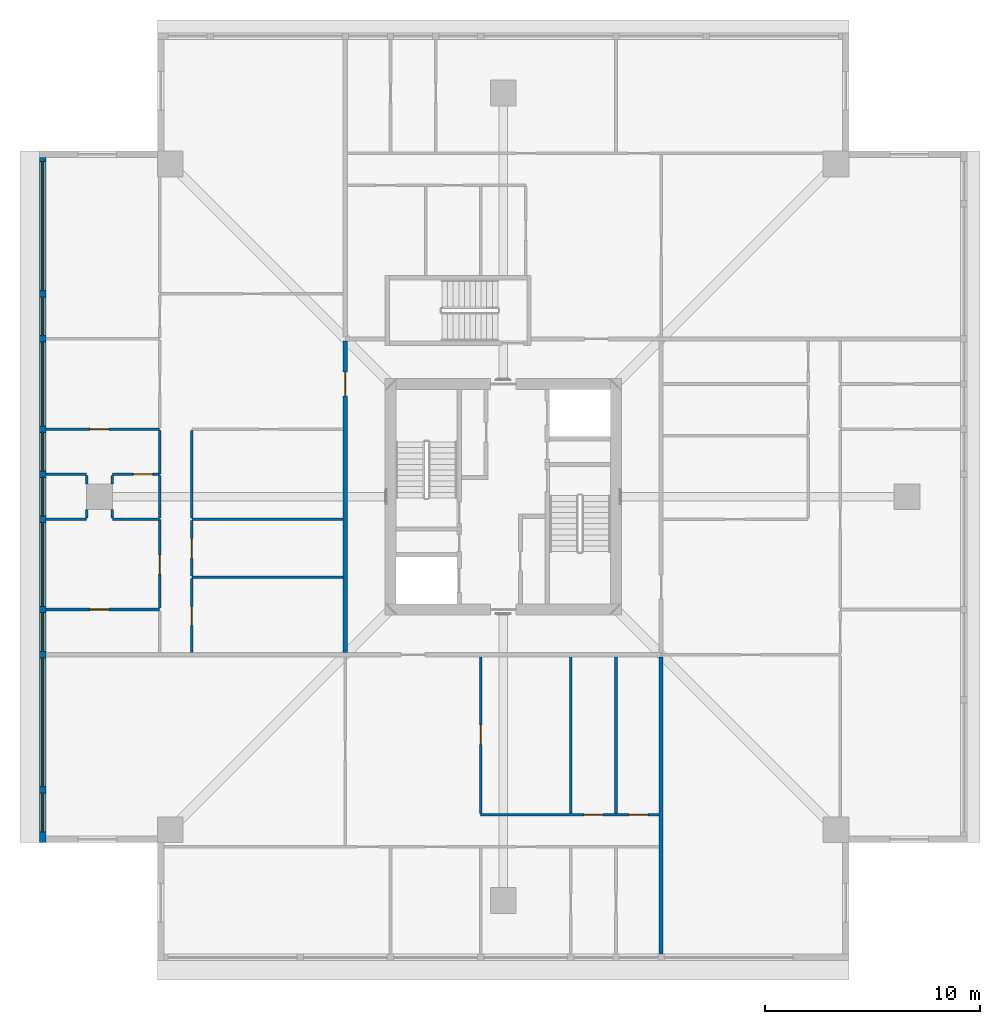
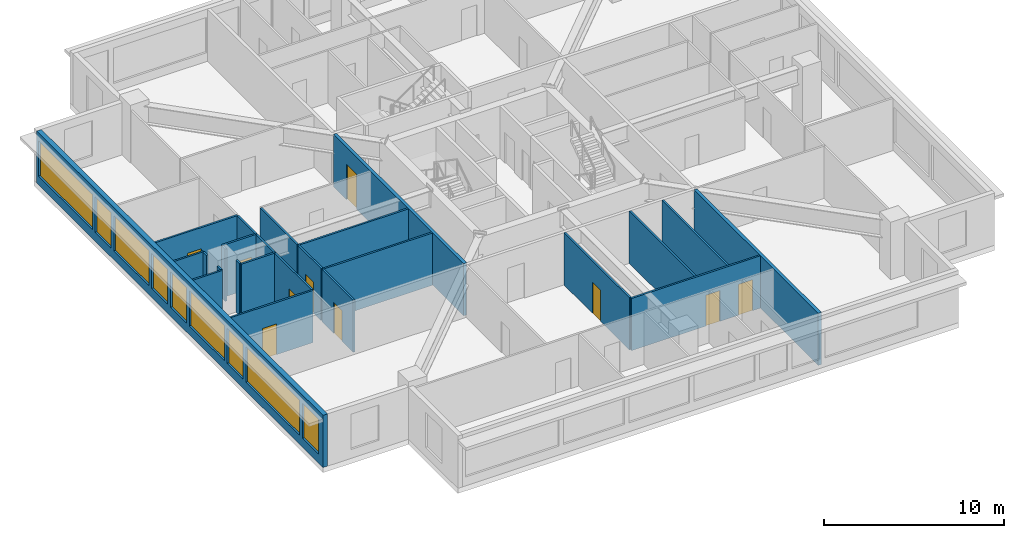
# One storey, part 5 of 12: 25 walls, 10 doors, 9 windows, 19 openings.
"""IFC4 building model written with IfcOpenShell, lengths in metres."""

from ifc_helpers import new_model, si_unit, direction, frame, frame_2d, origin, place, context, subcontext, project, spatial, rectangle, extrude, material, layer, layer_set, type_object, element, fill, save


model = new_model("IFC4")

# Units and contexts
model_context = context("Model", 3, precision=1e-05, world=origin(), true_north=direction((0.0, 1.0)))
body_context = subcontext(model_context, "Body", "Model", "MODEL_VIEW")
ifc_project = project(units=[si_unit("LENGTHUNIT", "METRE"), si_unit("AREAUNIT", "SQUARE_METRE"), si_unit("VOLUMEUNIT", "CUBIC_METRE"), si_unit("PLANEANGLEUNIT", "RADIAN"), si_unit("MASSUNIT", "GRAM", prefix="KILO")], contexts=[model_context])

# Site, building, storey
site_placement = place(None, origin())
site = spatial("IfcSite", under=ifc_project, at=site_placement, CompositionType="ELEMENT")
building_placement = place(site_placement, origin())
building = spatial("IfcBuilding", under=site, at=building_placement, Name="Khepri Terraces", CompositionType="ELEMENT")
storey_placement = place(building_placement, frame((0.0, 0.0, 296.699951171875)))
storey = spatial("IfcBuildingStorey", under=building, at=storey_placement, Name="L71", CompositionType="ELEMENT", Elevation=296.699951171875)

# Wall
ifc_material_1 = material(Name="Fire-rated gypsum plasterboard partition, mineral wool")
ifc_layer_1 = layer(ifc_material_1, 0.199951171875, Name="Fire-rated gypsum plasterboard partition, mineral wool")
ifc_layer_set_1 = layer_set([ifc_layer_1], Name="Fire-rated gypsum plasterboard partition, mineral wool")
wall_type_1 = type_object("IfcWallType", Name="WL-CORR-200", PredefinedType="PARTITIONING", material=ifc_layer_set_1)
wall_1_placement = place(storey_placement, frame((7.35009765625, -21.300048828125, 0.0), z_axis=(0.0, 0.0, 1.0), x_axis=(0.0, 1.0, 0.0)))
element("IfcWall", 1, at=wall_1_placement, inside=storey, type_object=wall_type_1, Name="Partition P-005 L71", PredefinedType="PARTITIONING", context=body_context, shape_type="SweptSolid", body=[
    extrude(rectangle(XDim=13.85009765625, YDim=0.199951171875, at=frame_2d((6.925048828125, 0.0))), origin(), (0.0, 0.0, 1.0), 3.550048828125),
])

# Wall, opening, door
wall_2_placement = place(storey_placement, frame((-7.35009765625, -7.25, 0.0), z_axis=(0.0, 0.0, 1.0), x_axis=(0.0, 1.0, 0.0)))
wall_2 = element("IfcWall", 2, at=wall_2_placement, inside=storey, type_object=wall_type_1, Name="Partition P-018 L71", PredefinedType="PARTITIONING", context=body_context, shape_type="SweptSolid", body=[
    extrude(rectangle(XDim=14.5, YDim=0.199951171875, at=frame_2d((7.25, 0.0))), origin(), (0.0, 0.0, 1.0), 3.550048828125),
])
opening_1_placement = place(wall_2_placement, frame((11.949951171875, 0.0, 0.0)))
opening_1 = element("IfcOpeningElement", 3, at=opening_1_placement, cuts=wall_2, Name="Opening D1", PredefinedType="OPENING", context=body_context, shape_type="SweptSolid", body=[
    extrude(rectangle(XDim=1.10009765625, YDim=2.39990234375, at=frame_2d((0.550048828125, 1.199951171875))), frame((0.0, 0.10986328125, 0.0), z_axis=(0.0, -1.0, 0.0), x_axis=(1.0, 0.0, 0.0)), (0.0, 0.0, 1.0), 0.219970703125),
])
ifc_material_2 = material(Name="Solid-core timber door leaf, flat entrance door", Category="wood")
door_type_1 = type_object("IfcDoorType", Name="DR-ENT-1100", OperationType="NOTDEFINED", PredefinedType="DOOR", material=ifc_material_2)
door_1_placement = place(opening_1_placement, origin())
door_1 = element("IfcDoor", 4, at=door_1_placement, inside=storey, type_object=door_type_1, Name="Flat D1 entrance door", OperationType="SINGLE_SWING_RIGHT", OverallHeight=2.39990234375, OverallWidth=1.10009765625, PredefinedType="DOOR", context=body_context, shape_type="SweptSolid", body=[
    extrude(rectangle(XDim=1.10009765625, YDim=2.39990234375, at=frame_2d((0.550048828125, 1.199951171875))), frame((0.0, 0.02490234375, 0.0), z_axis=(0.0, -1.0, 0.0), x_axis=(1.0, 0.0, 0.0)), (0.0, 0.0, 1.0), 0.050048828125),
])
fill(opening_1, door_1)

# Wall, openings, windows
ifc_material_3 = material(Name="Precast concrete C50/60 warm stone", Category="masonry")
ifc_layer_2 = layer(ifc_material_3, 0.300048828125, Name="Precast concrete C50/60 warm stone", Category="masonry")
ifc_layer_set_2 = layer_set([ifc_layer_2], Name="Precast concrete C50/60 warm stone")
wall_type_2 = type_object("IfcWallType", Name="WL-EXT-PRECAST-300", PredefinedType="STANDARD", material=ifc_layer_set_2)
wall_3_placement = place(storey_placement, frame((-21.449951171875, 15.800048828125, 0.0), z_axis=(0.0, 0.0, 1.0), x_axis=(0.0, -1.0, 0.0)))
wall_3 = element("IfcWall", 5, at=wall_3_placement, inside=storey, type_object=wall_type_2, Name="External wall L71 W", PredefinedType="STANDARD", context=body_context, shape_type="SweptSolid", body=[
    extrude(rectangle(XDim=31.900146484375, YDim=0.300048828125, at=frame_2d((15.9501953125, 0.0))), origin(), (0.0, 0.0, 1.0), 3.550048828125),
])
opening_2_placement = place(wall_3_placement, frame((0.199951171875, 0.0, 0.60009765625)))
opening_2 = element("IfcOpeningElement", 6, at=opening_2_placement, cuts=wall_3, Name="Opening WC3", PredefinedType="OPENING", context=body_context, shape_type="SweptSolid", body=[
    extrude(rectangle(XDim=6.0, YDim=2.39990234375, at=frame_2d((3.0, 1.199951171875))), frame((0.0, 0.16015625, 0.0), z_axis=(0.0, -1.0, 0.0), x_axis=(1.0, 0.0, 0.0)), (0.0, 0.0, 1.0), 0.320068359375),
])
opening_3_placement = place(wall_3_placement, frame((6.5, 0.0, 0.60009765625)))
opening_3 = element("IfcOpeningElement", 7, at=opening_3_placement, cuts=wall_3, Name="Opening WC1", PredefinedType="OPENING", context=body_context, shape_type="SweptSolid", body=[
    extrude(rectangle(XDim=1.800048828125, YDim=2.39990234375, at=frame_2d((0.89990234375, 1.199951171875))), frame((0.0, 0.16015625, 0.0), z_axis=(0.0, -1.0, 0.0), x_axis=(1.0, 0.0, 0.0)), (0.0, 0.0, 1.0), 0.320068359375),
])
opening_4_placement = place(wall_3_placement, frame((8.60009765625, 0.0, 0.60009765625)))
opening_4 = element("IfcOpeningElement", 8, at=opening_4_placement, cuts=wall_3, Name="Opening WC2", PredefinedType="OPENING", context=body_context, shape_type="SweptSolid", body=[
    extrude(rectangle(XDim=3.89990234375, YDim=2.39990234375, at=frame_2d((1.949951171875, 1.199951171875))), frame((0.0, 0.16015625, 0.0), z_axis=(0.0, -1.0, 0.0), x_axis=(1.0, 0.0, 0.0)), (0.0, 0.0, 1.0), 0.320068359375),
])
opening_5_placement = place(wall_3_placement, frame((12.800048828125, 0.0, 0.60009765625)))
opening_5 = element("IfcOpeningElement", 9, at=opening_5_placement, cuts=wall_3, Name="Opening WC1", PredefinedType="OPENING", context=body_context, shape_type="SweptSolid", body=[
    extrude(rectangle(XDim=1.800048828125, YDim=2.39990234375, at=frame_2d((0.89990234375, 1.199951171875))), frame((0.0, 0.16015625, 0.0), z_axis=(0.0, -1.0, 0.0), x_axis=(1.0, 0.0, 0.0)), (0.0, 0.0, 1.0), 0.320068359375),
])
opening_6_placement = place(wall_3_placement, frame((14.89990234375, 0.0, 0.60009765625)))
opening_6 = element("IfcOpeningElement", 10, at=opening_6_placement, cuts=wall_3, Name="Opening WC1", PredefinedType="OPENING", context=body_context, shape_type="SweptSolid", body=[
    extrude(rectangle(XDim=1.800048828125, YDim=2.39990234375, at=frame_2d((0.89990234375, 1.199951171875))), frame((0.0, 0.16015625, 0.0), z_axis=(0.0, -1.0, 0.0), x_axis=(1.0, 0.0, 0.0)), (0.0, 0.0, 1.0), 0.320068359375),
])
opening_7_placement = place(wall_3_placement, frame((17.0, 0.0, 0.60009765625)))
opening_7 = element("IfcOpeningElement", 11, at=opening_7_placement, cuts=wall_3, Name="Opening WC2", PredefinedType="OPENING", context=body_context, shape_type="SweptSolid", body=[
    extrude(rectangle(XDim=3.89990234375, YDim=2.39990234375, at=frame_2d((1.949951171875, 1.199951171875))), frame((0.0, 0.16015625, 0.0), z_axis=(0.0, -1.0, 0.0), x_axis=(1.0, 0.0, 0.0)), (0.0, 0.0, 1.0), 0.320068359375),
])
opening_8_placement = place(wall_3_placement, frame((21.199951171875, 0.0, 0.60009765625)))
opening_8 = element("IfcOpeningElement", 12, at=opening_8_placement, cuts=wall_3, Name="Opening WC1", PredefinedType="OPENING", context=body_context, shape_type="SweptSolid", body=[
    extrude(rectangle(XDim=1.800048828125, YDim=2.39990234375, at=frame_2d((0.89990234375, 1.199951171875))), frame((0.0, 0.16015625, 0.0), z_axis=(0.0, -1.0, 0.0), x_axis=(1.0, 0.0, 0.0)), (0.0, 0.0, 1.0), 0.320068359375),
])
opening_9_placement = place(wall_3_placement, frame((23.300048828125, 0.0, 0.60009765625)))
opening_9 = element("IfcOpeningElement", 13, at=opening_9_placement, cuts=wall_3, Name="Opening WC3", PredefinedType="OPENING", context=body_context, shape_type="SweptSolid", body=[
    extrude(rectangle(XDim=6.0, YDim=2.39990234375, at=frame_2d((3.0, 1.199951171875))), frame((0.0, 0.16015625, 0.0), z_axis=(0.0, -1.0, 0.0), x_axis=(1.0, 0.0, 0.0)), (0.0, 0.0, 1.0), 0.320068359375),
])
opening_10_placement = place(wall_3_placement, frame((29.60009765625, 0.0, 0.60009765625)))
opening_10 = element("IfcOpeningElement", 14, at=opening_10_placement, cuts=wall_3, Name="Opening WC1", PredefinedType="OPENING", context=body_context, shape_type="SweptSolid", body=[
    extrude(rectangle(XDim=1.800048828125, YDim=2.39990234375, at=frame_2d((0.89990234375, 1.199951171875))), frame((0.0, 0.16015625, 0.0), z_axis=(0.0, -1.0, 0.0), x_axis=(1.0, 0.0, 0.0)), (0.0, 0.0, 1.0), 0.320068359375),
])
ifc_material_4 = material(Name="Clear glass", Category="glass")
window_type_1 = type_object("IfcWindowType", Name="WIN-CRN-1800x2400", PartitioningType="SINGLE_PANEL", PredefinedType="WINDOW", material=ifc_material_4)
window_1_placement = place(opening_3_placement, origin())
window_1 = element("IfcWindow", 15, at=window_1_placement, inside=storey, type_object=window_type_1, Name="Window L71 W", OverallHeight=2.39990234375, OverallWidth=1.800048828125, PartitioningType="SINGLE_PANEL", PredefinedType="WINDOW", context=body_context, shape_type="SweptSolid", body=[
    extrude(rectangle(XDim=1.800048828125, YDim=2.39990234375, at=frame_2d((0.89990234375, 1.199951171875))), frame((0.0, 0.030029296875, 0.0), z_axis=(0.0, -1.0, 0.0), x_axis=(1.0, 0.0, 0.0)), (0.0, 0.0, 1.0), 0.06005859375),
])
fill(opening_3, window_1)
window_2_placement = place(opening_5_placement, origin())
window_2 = element("IfcWindow", 16, at=window_2_placement, inside=storey, type_object=window_type_1, Name="Window L71 W", OverallHeight=2.39990234375, OverallWidth=1.800048828125, PartitioningType="SINGLE_PANEL", PredefinedType="WINDOW", context=body_context, shape_type="SweptSolid", body=[
    extrude(rectangle(XDim=1.800048828125, YDim=2.39990234375, at=frame_2d((0.89990234375, 1.199951171875))), frame((0.0, 0.030029296875, 0.0), z_axis=(0.0, -1.0, 0.0), x_axis=(1.0, 0.0, 0.0)), (0.0, 0.0, 1.0), 0.06005859375),
])
fill(opening_5, window_2)
window_3_placement = place(opening_6_placement, origin())
window_3 = element("IfcWindow", 17, at=window_3_placement, inside=storey, type_object=window_type_1, Name="Window L71 W", OverallHeight=2.39990234375, OverallWidth=1.800048828125, PartitioningType="SINGLE_PANEL", PredefinedType="WINDOW", context=body_context, shape_type="SweptSolid", body=[
    extrude(rectangle(XDim=1.800048828125, YDim=2.39990234375, at=frame_2d((0.89990234375, 1.199951171875))), frame((0.0, 0.030029296875, 0.0), z_axis=(0.0, -1.0, 0.0), x_axis=(1.0, 0.0, 0.0)), (0.0, 0.0, 1.0), 0.06005859375),
])
fill(opening_6, window_3)
window_4_placement = place(opening_8_placement, origin())
window_4 = element("IfcWindow", 18, at=window_4_placement, inside=storey, type_object=window_type_1, Name="Window L71 W", OverallHeight=2.39990234375, OverallWidth=1.800048828125, PartitioningType="SINGLE_PANEL", PredefinedType="WINDOW", context=body_context, shape_type="SweptSolid", body=[
    extrude(rectangle(XDim=1.800048828125, YDim=2.39990234375, at=frame_2d((0.89990234375, 1.199951171875))), frame((0.0, 0.030029296875, 0.0), z_axis=(0.0, -1.0, 0.0), x_axis=(1.0, 0.0, 0.0)), (0.0, 0.0, 1.0), 0.06005859375),
])
fill(opening_8, window_4)
window_5_placement = place(opening_10_placement, origin())
window_5 = element("IfcWindow", 19, at=window_5_placement, inside=storey, type_object=window_type_1, Name="Window L71 W", OverallHeight=2.39990234375, OverallWidth=1.800048828125, PartitioningType="SINGLE_PANEL", PredefinedType="WINDOW", context=body_context, shape_type="SweptSolid", body=[
    extrude(rectangle(XDim=1.800048828125, YDim=2.39990234375, at=frame_2d((0.89990234375, 1.199951171875))), frame((0.0, 0.030029296875, 0.0), z_axis=(0.0, -1.0, 0.0), x_axis=(1.0, 0.0, 0.0)), (0.0, 0.0, 1.0), 0.06005859375),
])
fill(opening_10, window_5)
window_type_2 = type_object("IfcWindowType", Name="WIN-CRN-3900x2400", PartitioningType="SINGLE_PANEL", PredefinedType="WINDOW", material=ifc_material_4)
window_6_placement = place(opening_4_placement, origin())
window_6 = element("IfcWindow", 20, at=window_6_placement, inside=storey, type_object=window_type_2, Name="Window L71 W", OverallHeight=2.39990234375, OverallWidth=3.89990234375, PartitioningType="SINGLE_PANEL", PredefinedType="WINDOW", context=body_context, shape_type="SweptSolid", body=[
    extrude(rectangle(XDim=3.89990234375, YDim=2.39990234375, at=frame_2d((1.949951171875, 1.199951171875))), frame((0.0, 0.030029296875, 0.0), z_axis=(0.0, -1.0, 0.0), x_axis=(1.0, 0.0, 0.0)), (0.0, 0.0, 1.0), 0.06005859375),
])
fill(opening_4, window_6)
window_7_placement = place(opening_7_placement, origin())
window_7 = element("IfcWindow", 21, at=window_7_placement, inside=storey, type_object=window_type_2, Name="Window L71 W", OverallHeight=2.39990234375, OverallWidth=3.89990234375, PartitioningType="SINGLE_PANEL", PredefinedType="WINDOW", context=body_context, shape_type="SweptSolid", body=[
    extrude(rectangle(XDim=3.89990234375, YDim=2.39990234375, at=frame_2d((1.949951171875, 1.199951171875))), frame((0.0, 0.030029296875, 0.0), z_axis=(0.0, -1.0, 0.0), x_axis=(1.0, 0.0, 0.0)), (0.0, 0.0, 1.0), 0.06005859375),
])
fill(opening_7, window_7)
window_type_3 = type_object("IfcWindowType", Name="WIN-CRN-6000x2400", PartitioningType="SINGLE_PANEL", PredefinedType="WINDOW", material=ifc_material_4)
window_8_placement = place(opening_2_placement, origin())
window_8 = element("IfcWindow", 22, at=window_8_placement, inside=storey, type_object=window_type_3, Name="Window L71 W", OverallHeight=2.39990234375, OverallWidth=6.0, PartitioningType="SINGLE_PANEL", PredefinedType="WINDOW", context=body_context, shape_type="SweptSolid", body=[
    extrude(rectangle(XDim=6.0, YDim=2.39990234375, at=frame_2d((3.0, 1.199951171875))), frame((0.0, 0.030029296875, 0.0), z_axis=(0.0, -1.0, 0.0), x_axis=(1.0, 0.0, 0.0)), (0.0, 0.0, 1.0), 0.06005859375),
])
fill(opening_2, window_8)
window_9_placement = place(opening_9_placement, origin())
window_9 = element("IfcWindow", 23, at=window_9_placement, inside=storey, type_object=window_type_3, Name="Window L71 W", OverallHeight=2.39990234375, OverallWidth=6.0, PartitioningType="SINGLE_PANEL", PredefinedType="WINDOW", context=body_context, shape_type="SweptSolid", body=[
    extrude(rectangle(XDim=6.0, YDim=2.39990234375, at=frame_2d((3.0, 1.199951171875))), frame((0.0, 0.030029296875, 0.0), z_axis=(0.0, -1.0, 0.0), x_axis=(1.0, 0.0, 0.0)), (0.0, 0.0, 1.0), 0.06005859375),
])
fill(opening_9, window_9)

# Wall, openings, doors
ifc_material_5 = material(Name="Gypsum plasterboard partition")
ifc_layer_3 = layer(ifc_material_5, 0.1201171875, Name="Gypsum plasterboard partition")
ifc_layer_set_3 = layer_set([ifc_layer_3], Name="Gypsum plasterboard partition")
wall_type_3 = type_object("IfcWallType", Name="WL-PART-120", PredefinedType="PARTITIONING", material=ifc_layer_set_3)
wall_4_placement = place(storey_placement, frame((-1.050048828125, -14.800048828125, 0.0), z_axis=(0.0, 0.0, 1.0), x_axis=(1.0, 0.0, 0.0)))
wall_4 = element("IfcWall", 24, at=wall_4_placement, inside=storey, type_object=wall_type_3, Name="Partition P-009 L71", PredefinedType="PARTITIONING", context=body_context, shape_type="SweptSolid", body=[
    extrude(rectangle(XDim=8.300048828125, YDim=0.1201171875, at=frame_2d((4.14990234375, 0.0))), origin(), (0.0, 0.0, 1.0), 3.550048828125),
])
opening_11_placement = place(wall_4_placement, frame((4.800048828125, 0.0, 0.0)))
opening_11 = element("IfcOpeningElement", 25, at=opening_11_placement, cuts=wall_4, Name="Opening D3", PredefinedType="OPENING", context=body_context, shape_type="SweptSolid", body=[
    extrude(rectangle(XDim=0.89990234375, YDim=2.10009765625, at=frame_2d((0.449951171875, 1.050048828125))), frame((0.0, 0.070068359375, 0.0), z_axis=(0.0, -1.0, 0.0), x_axis=(1.0, 0.0, 0.0)), (0.0, 0.0, 1.0), 0.14013671875),
])
opening_12_placement = place(wall_4_placement, frame((6.89990234375, 0.0, 0.0)))
opening_12 = element("IfcOpeningElement", 26, at=opening_12_placement, cuts=wall_4, Name="Opening D4", PredefinedType="OPENING", context=body_context, shape_type="SweptSolid", body=[
    extrude(rectangle(XDim=0.89990234375, YDim=2.10009765625, at=frame_2d((0.449951171875, 1.050048828125))), frame((0.0, 0.070068359375, 0.0), z_axis=(0.0, -1.0, 0.0), x_axis=(1.0, 0.0, 0.0)), (0.0, 0.0, 1.0), 0.14013671875),
])
ifc_material_6 = material(Name="Timber door leaf", Category="wood")
door_type_2 = type_object("IfcDoorType", Name="DR-INT-900", OperationType="NOTDEFINED", PredefinedType="DOOR", material=ifc_material_6)
door_2_placement = place(opening_11_placement, origin())
door_2 = element("IfcDoor", 27, at=door_2_placement, inside=storey, type_object=door_type_2, Name="Door Service Kitchen", OperationType="SINGLE_SWING_RIGHT", OverallHeight=2.10009765625, OverallWidth=0.89990234375, PredefinedType="DOOR", context=body_context, shape_type="SweptSolid", body=[
    extrude(rectangle(XDim=0.89990234375, YDim=2.10009765625, at=frame_2d((0.449951171875, 1.050048828125))), frame((0.0, 0.02490234375, 0.0), z_axis=(0.0, -1.0, 0.0), x_axis=(1.0, 0.0, 0.0)), (0.0, 0.0, 1.0), 0.050048828125),
])
fill(opening_11, door_2)
ifc_material_7 = material(Name="Timber door leaf, moisture resistant", Category="wood")
door_type_3 = type_object("IfcDoorType", Name="DR-WET-900", OperationType="NOTDEFINED", PredefinedType="DOOR", material=ifc_material_7)
door_3_placement = place(opening_12_placement, origin())
door_3 = element("IfcDoor", 28, at=door_3_placement, inside=storey, type_object=door_type_3, Name="Door Guest Bathroom", OperationType="SINGLE_SWING_RIGHT", OverallHeight=2.10009765625, OverallWidth=0.89990234375, PredefinedType="DOOR", context=body_context, shape_type="SweptSolid", body=[
    extrude(rectangle(XDim=0.89990234375, YDim=2.10009765625, at=frame_2d((0.449951171875, 1.050048828125))), frame((0.0, 0.02490234375, 0.0), z_axis=(0.0, -1.0, 0.0), x_axis=(1.0, 0.0, 0.0)), (0.0, 0.0, 1.0), 0.050048828125),
])
fill(opening_12, door_3)

# Wall, opening, door
wall_5_placement = place(storey_placement, frame((-1.050048828125, -14.739990234375, 0.0), z_axis=(0.0, 0.0, 1.0), x_axis=(0.0, 1.0, 0.0)))
wall_5 = element("IfcWall", 29, at=wall_5_placement, inside=storey, type_object=wall_type_3, Name="Partition P-010 L71", PredefinedType="PARTITIONING", context=body_context, shape_type="SweptSolid", body=[
    extrude(rectangle(XDim=7.2900390625, YDim=0.1201171875, at=frame_2d((3.64501953125, 0.0))), origin(), (0.0, 0.0, 1.0), 3.550048828125),
])
opening_13_placement = place(wall_5_placement, frame((3.215087890625, 0.0, 0.0)))
opening_13 = element("IfcOpeningElement", 30, at=opening_13_placement, cuts=wall_5, Name="Opening D3", PredefinedType="OPENING", context=body_context, shape_type="SweptSolid", body=[
    extrude(rectangle(XDim=0.89990234375, YDim=2.10009765625, at=frame_2d((0.449951171875, 1.050048828125))), frame((0.0, 0.070068359375, 0.0), z_axis=(0.0, -1.0, 0.0), x_axis=(1.0, 0.0, 0.0)), (0.0, 0.0, 1.0), 0.14013671875),
])
door_4_placement = place(opening_13_placement, frame((0.89990234375, 0.0, 0.0), z_axis=(0.0, 0.0, 1.0), x_axis=(-1.0, 0.0, 0.0)))
door_4 = element("IfcDoor", 31, at=door_4_placement, inside=storey, type_object=door_type_2, Name="Door Kitchen", OperationType="SINGLE_SWING_LEFT", OverallHeight=2.10009765625, OverallWidth=0.89990234375, PredefinedType="DOOR", context=body_context, shape_type="SweptSolid", body=[
    extrude(rectangle(XDim=0.89990234375, YDim=2.10009765625, at=frame_2d((0.449951171875, 1.050048828125))), frame((0.0, 0.02490234375, 0.0), z_axis=(0.0, -1.0, 0.0), x_axis=(1.0, 0.0, 0.0)), (0.0, 0.0, 1.0), 0.050048828125),
])
fill(opening_13, door_4)

# Walls
for number, where, z_axis, x_axis, name in (
    (32, (3.14990234375, -14.739990234375, 0.0), (0.0, 0.0, 1.0), (0.0, 1.0, 0.0), "Partition P-011 L71"),
    (33, (5.25, -14.739990234375, 0.0), (0.0, 0.0, 1.0), (0.0, 1.0, 0.0), "Partition P-012 L71"),
):
    element("IfcWall", number, at=place(storey_placement, frame(where, z_axis=z_axis, x_axis=x_axis)), inside=storey, type_object=wall_type_3, Name=name, PredefinedType="PARTITIONING", context=body_context, shape_type="SweptSolid", body=[
        extrude(rectangle(XDim=7.2900390625, YDim=0.1201171875, at=frame_2d((3.64501953125, 0.0))), origin(), (0.0, 0.0, 1.0), 3.550048828125),
    ])

# Wall, opening, door
wall_6_placement = place(storey_placement, frame((-14.5, -7.25, 0.0), z_axis=(0.0, 0.0, 1.0), x_axis=(0.0, 1.0, 0.0)))
wall_6 = element("IfcWall", 34, at=wall_6_placement, inside=storey, type_object=wall_type_3, Name="Partition P-017 L71", PredefinedType="PARTITIONING", context=body_context, shape_type="SweptSolid", body=[
    extrude(rectangle(XDim=3.43994140625, YDim=0.1201171875, at=frame_2d((1.719970703125, 0.0))), origin(), (0.0, 0.0, 1.0), 3.550048828125),
])
opening_14_placement = place(wall_6_placement, frame((1.25, 0.0, 0.0)))
opening_14 = element("IfcOpeningElement", 35, at=opening_14_placement, cuts=wall_6, Name="Opening D3", PredefinedType="OPENING", context=body_context, shape_type="SweptSolid", body=[
    extrude(rectangle(XDim=0.89990234375, YDim=2.10009765625, at=frame_2d((0.449951171875, 1.050048828125))), frame((0.0, 0.070068359375, 0.0), z_axis=(0.0, -1.0, 0.0), x_axis=(1.0, 0.0, 0.0)), (0.0, 0.0, 1.0), 0.14013671875),
])
door_5_placement = place(opening_14_placement, frame((0.89990234375, 0.0, 0.0), z_axis=(0.0, 0.0, 1.0), x_axis=(-1.0, 0.0, 0.0)))
door_5 = element("IfcDoor", 36, at=door_5_placement, inside=storey, type_object=door_type_2, Name="Door Staff Bedroom", OperationType="SINGLE_SWING_RIGHT", OverallHeight=2.10009765625, OverallWidth=0.89990234375, PredefinedType="DOOR", context=body_context, shape_type="SweptSolid", body=[
    extrude(rectangle(XDim=0.89990234375, YDim=2.10009765625, at=frame_2d((0.449951171875, 1.050048828125))), frame((0.0, 0.02490234375, 0.0), z_axis=(0.0, -1.0, 0.0), x_axis=(1.0, 0.0, 0.0)), (0.0, 0.0, 1.0), 0.050048828125),
])
fill(opening_14, door_5)

wall_7_placement = place(storey_placement, frame((-21.300048828125, -5.25, 0.0), z_axis=(0.0, 0.0, 1.0), x_axis=(1.0, 0.0, 0.0)))
wall_7 = element("IfcWall", 37, at=wall_7_placement, inside=storey, type_object=wall_type_3, Name="Partition P-020 L71", PredefinedType="PARTITIONING", context=body_context, shape_type="SweptSolid", body=[
    extrude(rectangle(XDim=5.300048828125, YDim=0.1201171875, at=frame_2d((2.64990234375, 0.0))), origin(), (0.0, 0.0, 1.0), 3.550048828125),
])
opening_15_placement = place(wall_7_placement, frame((2.050048828125, 0.0, 0.0)))
opening_15 = element("IfcOpeningElement", 38, at=opening_15_placement, cuts=wall_7, Name="Opening D4", PredefinedType="OPENING", context=body_context, shape_type="SweptSolid", body=[
    extrude(rectangle(XDim=0.89990234375, YDim=2.10009765625, at=frame_2d((0.449951171875, 1.050048828125))), frame((0.0, 0.070068359375, 0.0), z_axis=(0.0, -1.0, 0.0), x_axis=(1.0, 0.0, 0.0)), (0.0, 0.0, 1.0), 0.14013671875),
])
door_6_placement = place(opening_15_placement, frame((0.89990234375, 0.0, 0.0), z_axis=(0.0, 0.0, 1.0), x_axis=(-1.0, 0.0, 0.0)))
door_6 = element("IfcDoor", 39, at=door_6_placement, inside=storey, type_object=door_type_3, Name="Door Bathroom", OperationType="SINGLE_SWING_RIGHT", OverallHeight=2.10009765625, OverallWidth=0.89990234375, PredefinedType="DOOR", context=body_context, shape_type="SweptSolid", body=[
    extrude(rectangle(XDim=0.89990234375, YDim=2.10009765625, at=frame_2d((0.449951171875, 1.050048828125))), frame((0.0, 0.02490234375, 0.0), z_axis=(0.0, -1.0, 0.0), x_axis=(1.0, 0.0, 0.0)), (0.0, 0.0, 1.0), 0.050048828125),
])
fill(opening_15, door_6)

wall_8_placement = place(storey_placement, frame((-16.0, -5.18994140625, 0.0), z_axis=(0.0, 0.0, 1.0), x_axis=(0.0, 1.0, 0.0)))
wall_8 = element("IfcWall", 40, at=wall_8_placement, inside=storey, type_object=wall_type_3, Name="Partition P-022 L71", PredefinedType="PARTITIONING", context=body_context, shape_type="SweptSolid", body=[
    extrude(rectangle(XDim=4.138916015625, YDim=0.1201171875, at=frame_2d((2.0693359375, 0.0))), origin(), (0.0, 0.0, 1.0), 3.550048828125),
])
opening_16_placement = place(wall_8_placement, frame((1.589599609375, 0.0, 0.0)))
opening_16 = element("IfcOpeningElement", 41, at=opening_16_placement, cuts=wall_8, Name="Opening D3", PredefinedType="OPENING", context=body_context, shape_type="SweptSolid", body=[
    extrude(rectangle(XDim=0.89990234375, YDim=2.10009765625, at=frame_2d((0.449951171875, 1.050048828125))), frame((0.0, 0.070068359375, 0.0), z_axis=(0.0, -1.0, 0.0), x_axis=(1.0, 0.0, 0.0)), (0.0, 0.0, 1.0), 0.14013671875),
])
door_7_placement = place(opening_16_placement, origin())
door_7 = element("IfcDoor", 42, at=door_7_placement, inside=storey, type_object=door_type_2, Name="Door Bedroom", OperationType="SINGLE_SWING_LEFT", OverallHeight=2.10009765625, OverallWidth=0.89990234375, PredefinedType="DOOR", context=body_context, shape_type="SweptSolid", body=[
    extrude(rectangle(XDim=0.89990234375, YDim=2.10009765625, at=frame_2d((0.449951171875, 1.050048828125))), frame((0.0, 0.02490234375, 0.0), z_axis=(0.0, -1.0, 0.0), x_axis=(1.0, 0.0, 0.0)), (0.0, 0.0, 1.0), 0.050048828125),
])
fill(opening_16, door_7)

# Wall
wall_9_placement = place(storey_placement, frame((-14.5, -3.75, 0.0), z_axis=(0.0, 0.0, 1.0), x_axis=(1.0, 0.0, 0.0)))
element("IfcWall", 43, at=wall_9_placement, inside=storey, type_object=wall_type_3, Name="Partition P-024 L71", PredefinedType="PARTITIONING", context=body_context, shape_type="SweptSolid", body=[
    extrude(rectangle(XDim=7.050048828125, YDim=0.1201171875, at=frame_2d((3.52490234375, 0.0))), origin(), (0.0, 0.0, 1.0), 3.550048828125),
])

# Wall, opening, door
wall_10_placement = place(storey_placement, frame((-14.5, -3.68994140625, 0.0), z_axis=(0.0, 0.0, 1.0), x_axis=(0.0, 1.0, 0.0)))
wall_10 = element("IfcWall", 44, at=wall_10_placement, inside=storey, type_object=wall_type_3, Name="Partition P-025 L71", PredefinedType="PARTITIONING", context=body_context, shape_type="SweptSolid", body=[
    extrude(rectangle(XDim=2.579833984375, YDim=0.1201171875, at=frame_2d((1.2900390625, 0.0))), origin(), (0.0, 0.0, 1.0), 3.550048828125),
])
opening_17_placement = place(wall_10_placement, frame((0.840087890625, 0.0, 0.0)))
opening_17 = element("IfcOpeningElement", 45, at=opening_17_placement, cuts=wall_10, Name="Opening D4", PredefinedType="OPENING", context=body_context, shape_type="SweptSolid", body=[
    extrude(rectangle(XDim=0.89990234375, YDim=2.10009765625, at=frame_2d((0.449951171875, 1.050048828125))), frame((0.0, 0.070068359375, 0.0), z_axis=(0.0, -1.0, 0.0), x_axis=(1.0, 0.0, 0.0)), (0.0, 0.0, 1.0), 0.14013671875),
])
door_8_placement = place(opening_17_placement, frame((0.89990234375, 0.0, 0.0), z_axis=(0.0, 0.0, 1.0), x_axis=(-1.0, 0.0, 0.0)))
door_8 = element("IfcDoor", 46, at=door_8_placement, inside=storey, type_object=door_type_3, Name="Door Guest Bathroom", OperationType="SINGLE_SWING_LEFT", OverallHeight=2.10009765625, OverallWidth=0.89990234375, PredefinedType="DOOR", context=body_context, shape_type="SweptSolid", body=[
    extrude(rectangle(XDim=0.89990234375, YDim=2.10009765625, at=frame_2d((0.449951171875, 1.050048828125))), frame((0.0, 0.02490234375, 0.0), z_axis=(0.0, -1.0, 0.0), x_axis=(1.0, 0.0, 0.0)), (0.0, 0.0, 1.0), 0.050048828125),
])
fill(opening_17, door_8)

# Walls
wall_11_placement = place(storey_placement, frame((-14.5, -1.050048828125, 0.0), z_axis=(0.0, 0.0, 1.0), x_axis=(1.0, 0.0, 0.0)))
element("IfcWall", 47, at=wall_11_placement, inside=storey, type_object=wall_type_3, Name="Partition P-026 L71", PredefinedType="PARTITIONING", context=body_context, shape_type="SweptSolid", body=[
    extrude(rectangle(XDim=7.050048828125, YDim=0.1201171875, at=frame_2d((3.52490234375, 0.0))), origin(), (0.0, 0.0, 1.0), 3.550048828125),
])
wall_12_placement = place(storey_placement, frame((-21.300048828125, -1.049072265625, 0.0), z_axis=(0.0, 0.0, 1.0), x_axis=(1.0, 0.0, 0.0)))
element("IfcWall", 48, at=wall_12_placement, inside=storey, type_object=wall_type_3, Name="Partition P-028 L71", PredefinedType="PARTITIONING", context=body_context, shape_type="SweptSolid", body=[
    extrude(rectangle(XDim=1.899169921875, YDim=0.1201171875, at=frame_2d((0.94970703125, 0.0))), origin(), (0.0, 0.0, 1.0), 3.550048828125),
])
wall_13_placement = place(storey_placement, frame((-18.198974609375, -1.049072265625, 0.0), z_axis=(0.0, 0.0, 1.0), x_axis=(1.0, 0.0, 0.0)))
element("IfcWall", 49, at=wall_13_placement, inside=storey, type_object=wall_type_3, Name="Partition P-029 L71", PredefinedType="PARTITIONING", context=body_context, shape_type="SweptSolid", body=[
    extrude(rectangle(XDim=2.198974609375, YDim=0.1201171875, at=frame_2d((1.099609375, 0.0))), origin(), (0.0, 0.0, 1.0), 3.550048828125),
])
wall_14_placement = place(storey_placement, frame((-14.5, -0.989990234375, 0.0), z_axis=(0.0, 0.0, 1.0), x_axis=(0.0, 1.0, 0.0)))
element("IfcWall", 50, at=wall_14_placement, inside=storey, type_object=wall_type_3, Name="Partition P-030 L71", PredefinedType="PARTITIONING", context=body_context, shape_type="SweptSolid", body=[
    extrude(rectangle(XDim=4.080078125, YDim=0.1201171875, at=frame_2d((2.0400390625, 0.0))), origin(), (0.0, 0.0, 1.0), 3.550048828125),
])
for number, where, z_axis, x_axis, name in (
    (51, (-19.40087890625, -0.989013671875, 0.0), (0.0, 0.0, 1.0), (0.0, 1.0, 0.0), "Partition P-032 L71"),
    (52, (-18.198974609375, -0.989013671875, 0.0), (0.0, 0.0, 1.0), (0.0, 1.0, 0.0), "Partition P-033 L71"),
):
    element("IfcWall", number, at=place(storey_placement, frame(where, z_axis=z_axis, x_axis=x_axis)), inside=storey, type_object=wall_type_3, Name=name, PredefinedType="PARTITIONING", context=body_context, shape_type="SweptSolid", body=[
        extrude(rectangle(XDim=0.388916015625, YDim=0.1201171875, at=frame_2d((0.1943359375, 0.0))), origin(), (0.0, 0.0, 1.0), 3.550048828125),
    ])
wall_15_placement = place(storey_placement, frame((-16.0, -0.989013671875, 0.0), z_axis=(0.0, 0.0, 1.0), x_axis=(0.0, 1.0, 0.0)))
element("IfcWall", 53, at=wall_15_placement, inside=storey, type_object=wall_type_3, Name="Partition P-034 L71", PredefinedType="PARTITIONING", context=body_context, shape_type="SweptSolid", body=[
    extrude(rectangle(XDim=1.97802734375, YDim=0.1201171875, at=frame_2d((0.989013671875, 0.0))), origin(), (0.0, 0.0, 1.0), 3.550048828125),
])
for number, where, z_axis, x_axis, name in (
    (54, (-19.40087890625, 0.60009765625, 0.0), (0.0, 0.0, 1.0), (0.0, 1.0, 0.0), "Partition P-035 L71"),
    (55, (-18.198974609375, 0.60009765625, 0.0), (0.0, 0.0, 1.0), (0.0, 1.0, 0.0), "Partition P-036 L71"),
):
    element("IfcWall", number, at=place(storey_placement, frame(where, z_axis=z_axis, x_axis=x_axis)), inside=storey, type_object=wall_type_3, Name=name, PredefinedType="PARTITIONING", context=body_context, shape_type="SweptSolid", body=[
        extrude(rectangle(XDim=0.388916015625, YDim=0.1201171875, at=frame_2d((0.1943359375, 0.0))), origin(), (0.0, 0.0, 1.0), 3.550048828125),
    ])
wall_16_placement = place(storey_placement, frame((-21.300048828125, 1.049072265625, 0.0), z_axis=(0.0, 0.0, 1.0), x_axis=(1.0, 0.0, 0.0)))
element("IfcWall", 56, at=wall_16_placement, inside=storey, type_object=wall_type_3, Name="Partition P-037 L71", PredefinedType="PARTITIONING", context=body_context, shape_type="SweptSolid", body=[
    extrude(rectangle(XDim=1.899169921875, YDim=0.1201171875, at=frame_2d((0.94970703125, 0.0))), origin(), (0.0, 0.0, 1.0), 3.550048828125),
])

# Wall, opening, door
wall_17_placement = place(storey_placement, frame((-18.198974609375, 1.049072265625, 0.0), z_axis=(0.0, 0.0, 1.0), x_axis=(1.0, 0.0, 0.0)))
wall_17 = element("IfcWall", 57, at=wall_17_placement, inside=storey, type_object=wall_type_3, Name="Partition P-038 L71", PredefinedType="PARTITIONING", context=body_context, shape_type="SweptSolid", body=[
    extrude(rectangle(XDim=2.198974609375, YDim=0.1201171875, at=frame_2d((1.099609375, 0.0))), origin(), (0.0, 0.0, 1.0), 3.550048828125),
])
opening_18_placement = place(wall_17_placement, frame((0.979248046875, 0.0, 0.0)))
opening_18 = element("IfcOpeningElement", 58, at=opening_18_placement, cuts=wall_17, Name="Opening D4", PredefinedType="OPENING", context=body_context, shape_type="SweptSolid", body=[
    extrude(rectangle(XDim=0.89990234375, YDim=2.10009765625, at=frame_2d((0.449951171875, 1.050048828125))), frame((0.0, 0.070068359375, 0.0), z_axis=(0.0, -1.0, 0.0), x_axis=(1.0, 0.0, 0.0)), (0.0, 0.0, 1.0), 0.14013671875),
])
door_9_placement = place(opening_18_placement, frame((0.89990234375, 0.0, 0.0), z_axis=(0.0, 0.0, 1.0), x_axis=(-1.0, 0.0, 0.0)))
door_9 = element("IfcDoor", 59, at=door_9_placement, inside=storey, type_object=door_type_3, Name="Door Bathroom", OperationType="SINGLE_SWING_LEFT", OverallHeight=2.10009765625, OverallWidth=0.89990234375, PredefinedType="DOOR", context=body_context, shape_type="SweptSolid", body=[
    extrude(rectangle(XDim=0.89990234375, YDim=2.10009765625, at=frame_2d((0.449951171875, 1.050048828125))), frame((0.0, 0.02490234375, 0.0), z_axis=(0.0, -1.0, 0.0), x_axis=(1.0, 0.0, 0.0)), (0.0, 0.0, 1.0), 0.050048828125),
])
fill(opening_18, door_9)

# Wall
wall_18_placement = place(storey_placement, frame((-16.0, 1.051025390625, 0.0), z_axis=(0.0, 0.0, 1.0), x_axis=(0.0, 1.0, 0.0)))
element("IfcWall", 60, at=wall_18_placement, inside=storey, type_object=wall_type_3, Name="Partition P-039 L71", PredefinedType="PARTITIONING", context=body_context, shape_type="SweptSolid", body=[
    extrude(rectangle(XDim=2.0390625, YDim=0.1201171875, at=frame_2d((1.01953125, 0.0))), origin(), (0.0, 0.0, 1.0), 3.550048828125),
])

# Wall, opening, door
wall_19_placement = place(storey_placement, frame((-21.300048828125, 3.14990234375, 0.0), z_axis=(0.0, 0.0, 1.0), x_axis=(1.0, 0.0, 0.0)))
wall_19 = element("IfcWall", 61, at=wall_19_placement, inside=storey, type_object=wall_type_3, Name="Partition P-042 L71", PredefinedType="PARTITIONING", context=body_context, shape_type="SweptSolid", body=[
    extrude(rectangle(XDim=5.300048828125, YDim=0.1201171875, at=frame_2d((2.64990234375, 0.0))), origin(), (0.0, 0.0, 1.0), 3.550048828125),
])
opening_19_placement = place(wall_19_placement, frame((2.050048828125, 0.0, 0.0)))
opening_19 = element("IfcOpeningElement", 62, at=opening_19_placement, cuts=wall_19, Name="Opening D3", PredefinedType="OPENING", context=body_context, shape_type="SweptSolid", body=[
    extrude(rectangle(XDim=0.89990234375, YDim=2.10009765625, at=frame_2d((0.449951171875, 1.050048828125))), frame((0.0, 0.070068359375, 0.0), z_axis=(0.0, -1.0, 0.0), x_axis=(1.0, 0.0, 0.0)), (0.0, 0.0, 1.0), 0.14013671875),
])
door_10_placement = place(opening_19_placement, frame((0.89990234375, 0.0, 0.0), z_axis=(0.0, 0.0, 1.0), x_axis=(-1.0, 0.0, 0.0)))
door_10 = element("IfcDoor", 63, at=door_10_placement, inside=storey, type_object=door_type_2, Name="Door Dressing Room", OperationType="SINGLE_SWING_RIGHT", OverallHeight=2.10009765625, OverallWidth=0.89990234375, PredefinedType="DOOR", context=body_context, shape_type="SweptSolid", body=[
    extrude(rectangle(XDim=0.89990234375, YDim=2.10009765625, at=frame_2d((0.449951171875, 1.050048828125))), frame((0.0, 0.02490234375, 0.0), z_axis=(0.0, -1.0, 0.0), x_axis=(1.0, 0.0, 0.0)), (0.0, 0.0, 1.0), 0.050048828125),
])
fill(opening_19, door_10)

save(model, "model.ifc")
